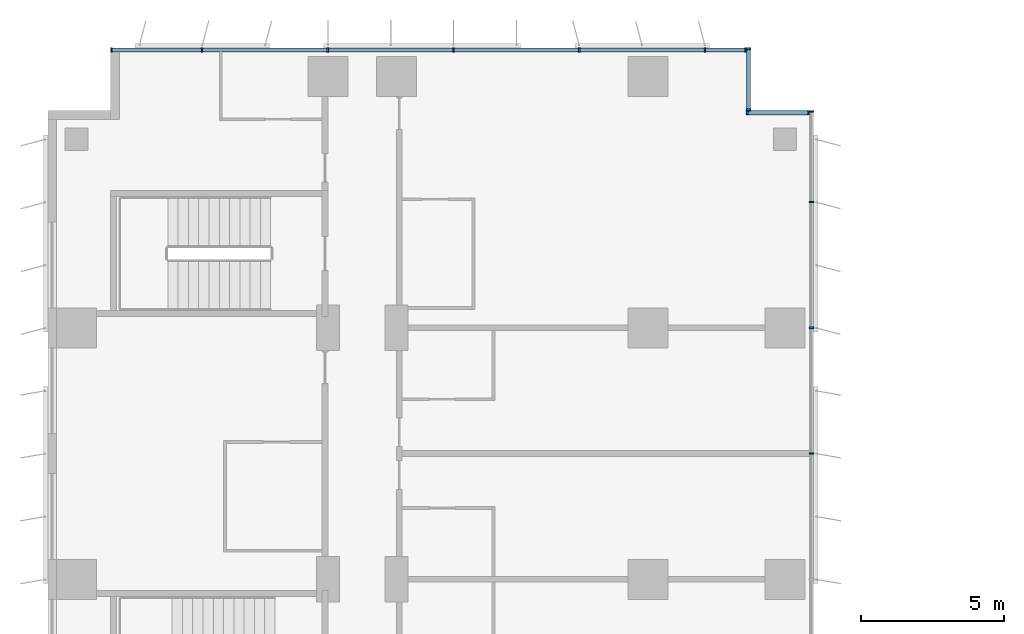
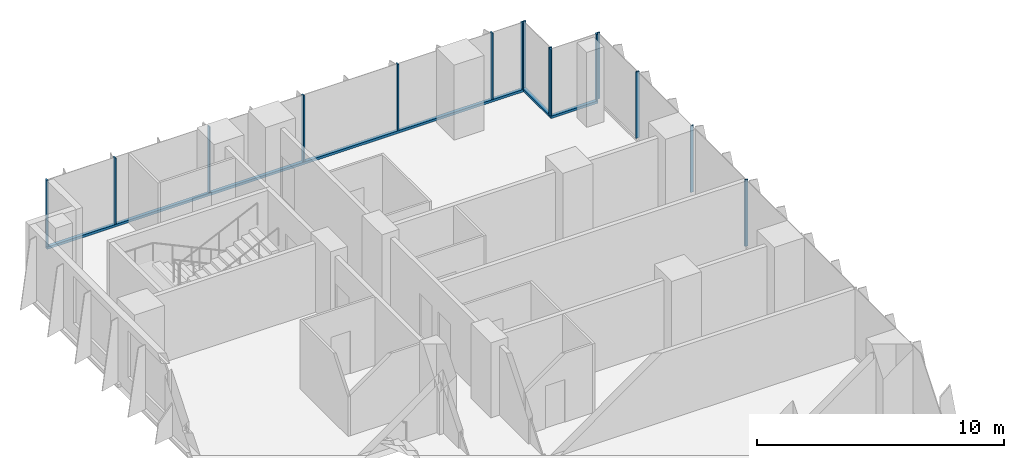
# One storey, part 9 of 24: 18 members, 4 elements without a shape of their own.
"""IFC4 building model written with IfcOpenShell, lengths in metres."""

from ifc_helpers import new_model, si_unit, direction, frame, origin, origin_2d, place, context, subcontext, project, spatial, rectangle, extrude, source, transform, mapped, material, material_profile, profile_set, type_object, element, aggregate, save


model = new_model("IFC4")

# Units and contexts
model_context = context("Model", 3, precision=1e-05, world=origin(), true_north=direction((0.0, 1.0)))
body_context = subcontext(model_context, "Body", "Model", "MODEL_VIEW")
ifc_project = project(units=[si_unit("LENGTHUNIT", "METRE"), si_unit("AREAUNIT", "SQUARE_METRE"), si_unit("VOLUMEUNIT", "CUBIC_METRE"), si_unit("PLANEANGLEUNIT", "RADIAN"), si_unit("MASSUNIT", "GRAM", prefix="KILO")], contexts=[model_context])

# Site, building, storey
site_placement = place(None, origin())
site = spatial("IfcSite", under=ifc_project, at=site_placement, CompositionType="ELEMENT")
building_placement = place(site_placement, origin())
building = spatial("IfcBuilding", under=site, at=building_placement, Name="Kemantara Hotel Tower", CompositionType="ELEMENT")
storey_placement = place(building_placement, frame((0.0, 0.0, 56.199951171875)))
storey = spatial("IfcBuildingStorey", under=building, at=storey_placement, Name="L12", CompositionType="ELEMENT", Elevation=56.199951171875)

# Curtain wall, member
ifc_material_1 = material(Name="Low-E tinted double insulated glass 36 mm", Category="glass")
curtain_wall_type = type_object("IfcCurtainWallType", Name="TOWER CURTAIN WALL, FRONT FACES", PredefinedType="USERDEFINED", material=ifc_material_1)
curtain_wall_1_placement = place(storey_placement, origin())
curtain_wall_1 = element("IfcCurtainWall", 1, at=curtain_wall_1_placement, inside=storey, type_object=curtain_wall_type, Name="CW4 L12 T1-R11-1", ObjectType="TOWER CURTAIN WALL, FRONT FACES", PredefinedType="USERDEFINED")
ifc_material_2 = material(Name="Aluminium 6063-T6 bronze anodised", Category="aluminium")
ifc_material_profile_1 = material_profile(ifc_material_2, rectangle(XDim=0.14990234375, YDim=0.1201171875, at=origin_2d()), Name="TOWER CURTAIN WALL, FRONT FACES TRANSOM")
ifc_profile_set_1 = profile_set([ifc_material_profile_1], Name="Aluminium 6063-T6 bronze anodised")
member_type_1 = type_object("IfcMemberType", Name="TOWER CURTAIN WALL, FRONT FACES TRANSOM", PredefinedType="USERDEFINED", material=ifc_profile_set_1)
member_1_placement = place(storey_placement, frame((24.449951171875, 81.125, 0.06005859375), z_axis=(-1.0, 0.0, 0.0), x_axis=(0.0, -1.0, 0.0)))
member_1 = element("IfcMember", 2, at=member_1_placement, type_object=member_type_1, Name="CW4 sill transom T1-R11-1", ObjectType="TRANSOM", PredefinedType="USERDEFINED", context=body_context, shape_type="SweptSolid", body=[
    extrude(rectangle(XDim=0.14990234375, YDim=0.1201171875, at=origin_2d()), origin(), (0.0, 0.0, 1.0), 22.25),
])

curtain_wall_2_placement = place(storey_placement, origin())
curtain_wall_2 = element("IfcCurtainWall", 3, at=curtain_wall_2_placement, inside=storey, type_object=curtain_wall_type, Name="CW4 L12 T1-R09-1", ObjectType="TOWER CURTAIN WALL, FRONT FACES", PredefinedType="USERDEFINED")
member_2_placement = place(storey_placement, frame((26.64990234375, 78.925048828125, 0.06005859375), z_axis=(-1.0, 0.0, 0.0), x_axis=(0.0, -1.0, 0.0)))
member_2 = element("IfcMember", 4, at=member_2_placement, type_object=member_type_1, Name="CW4 sill transom T1-R09-1", ObjectType="TRANSOM", PredefinedType="USERDEFINED", context=body_context, shape_type="SweptSolid", body=[
    extrude(rectangle(XDim=0.14990234375, YDim=0.1201171875, at=origin_2d()), origin(), (0.0, 0.0, 1.0), 2.199951171875),
])

curtain_wall_3_placement = place(storey_placement, origin())
curtain_wall_3 = element("IfcCurtainWall", 5, at=curtain_wall_3_placement, inside=storey, type_object=curtain_wall_type, Name="CW4 L12 T1-R10-1", ObjectType="TOWER CURTAIN WALL, FRONT FACES", PredefinedType="USERDEFINED")
member_3_placement = place(storey_placement, frame((24.52490234375, 79.0, 0.06005859375), z_axis=(0.0, 1.0, 0.0), x_axis=(-1.0, 0.0, 0.0)))
member_3 = element("IfcMember", 6, at=member_3_placement, type_object=member_type_1, Name="CW4 sill transom T1-R10-1", ObjectType="TRANSOM", PredefinedType="USERDEFINED", context=body_context, shape_type="SweptSolid", body=[
    extrude(rectangle(XDim=0.14990234375, YDim=0.1201171875, at=origin_2d()), origin(), (0.0, 0.0, 1.0), 2.199951171875),
])

# Curtain wall, members
curtain_wall_4_placement = place(storey_placement, origin())
curtain_wall_4 = element("IfcCurtainWall", 7, at=curtain_wall_4_placement, inside=storey, type_object=curtain_wall_type, Name="CW4 L12 T1-R08-1", ObjectType="TOWER CURTAIN WALL, FRONT FACES", PredefinedType="USERDEFINED")
ifc_material_profile_2 = material_profile(ifc_material_2, rectangle(XDim=0.14990234375, YDim=0.06005859375, at=origin_2d()), Name="TOWER CURTAIN WALL, FRONT FACES MULLION")
ifc_profile_set_2 = profile_set([ifc_material_profile_2], Name="Aluminium 6063-T6 bronze anodised")
member_type_2 = type_object("IfcMemberType", Name="TOWER CURTAIN WALL, FRONT FACES MULLION", PredefinedType="MULLION", material=ifc_profile_set_2)
shared_shape = source(origin(), body_context, "Body", "SweptSolid", [
    extrude(rectangle(XDim=0.14990234375, YDim=0.06005859375, at=origin_2d()), origin(), (0.0, 0.0, 1.0), 3.280029296875),
])
member_4_placement = place(storey_placement, frame((26.72509765625, 67.0, 0.1201171875), z_axis=(0.0, 0.0, 1.0), x_axis=(-1.0, 0.0, 0.0)))
member_4 = element("IfcMember", 8, at=member_4_placement, type_object=member_type_2, Name="CW4 mullion T1-R08-1.11", PredefinedType="MULLION", context=body_context, shape_type="MappedRepresentation", body=[
    mapped(shared_shape, transform((0.0, 0.0, 0.0))),
])
member_5_placement = place(storey_placement, frame((26.72509765625, 71.39990234375, 0.1201171875), z_axis=(0.0, 0.0, 1.0), x_axis=(-1.0, 0.0, 0.0)))
member_5 = element("IfcMember", 9, at=member_5_placement, type_object=member_type_2, Name="CW4 mullion T1-R08-1.12", PredefinedType="MULLION", context=body_context, shape_type="MappedRepresentation", body=[
    mapped(shared_shape, transform((0.0, 0.0, 0.0))),
])
member_6_placement = place(storey_placement, frame((26.72509765625, 75.800048828125, 0.1201171875), z_axis=(0.0, 0.0, 1.0), x_axis=(-1.0, 0.0, 0.0)))
member_6 = element("IfcMember", 10, at=member_6_placement, type_object=member_type_2, Name="CW4 mullion T1-R08-1.13", PredefinedType="MULLION", context=body_context, shape_type="MappedRepresentation", body=[
    mapped(shared_shape, transform((0.0, 0.0, 0.0))),
])
member_7_placement = place(storey_placement, frame((26.72509765625, 78.969970703125, 0.1201171875), z_axis=(0.0, 0.0, 1.0), x_axis=(-1.0, 0.0, 0.0)))
member_7 = element("IfcMember", 11, at=member_7_placement, type_object=member_type_2, Name="CW4 mullion T1-R08-1.14", PredefinedType="MULLION", context=body_context, shape_type="MappedRepresentation", body=[
    mapped(shared_shape, transform((0.0, 0.0, 0.0))),
])
aggregate(curtain_wall_4, [member_4, member_5, member_6, member_7])

# Member
member_8_placement = place(storey_placement, frame((24.419921875, 81.125, 0.1201171875), z_axis=(0.0, 0.0, 1.0), x_axis=(0.0, -1.0, 0.0)))
member_8 = element("IfcMember", 12, at=member_8_placement, type_object=member_type_2, Name="CW4 mullion T1-R11-1.1", PredefinedType="MULLION", context=body_context, shape_type="MappedRepresentation", body=[
    mapped(shared_shape, transform((0.0, 0.0, 0.0))),
])

member_9_placement = place(storey_placement, frame((23.0, 81.125, 0.1201171875), z_axis=(0.0, 0.0, 1.0), x_axis=(0.0, -1.0, 0.0)))
member_9 = element("IfcMember", 13, at=member_9_placement, type_object=member_type_2, Name="CW4 mullion T1-R11-1.2", PredefinedType="MULLION", context=body_context, shape_type="MappedRepresentation", body=[
    mapped(shared_shape, transform((0.0, 0.0, 0.0))),
])

member_10_placement = place(storey_placement, frame((18.60009765625, 81.125, 0.1201171875), z_axis=(0.0, 0.0, 1.0), x_axis=(0.0, -1.0, 0.0)))
member_10 = element("IfcMember", 14, at=member_10_placement, type_object=member_type_2, Name="CW4 mullion T1-R11-1.3", PredefinedType="MULLION", context=body_context, shape_type="MappedRepresentation", body=[
    mapped(shared_shape, transform((0.0, 0.0, 0.0))),
])

member_11_placement = place(storey_placement, frame((14.199951171875, 81.125, 0.1201171875), z_axis=(0.0, 0.0, 1.0), x_axis=(0.0, -1.0, 0.0)))
member_11 = element("IfcMember", 15, at=member_11_placement, type_object=member_type_2, Name="CW4 mullion T1-R11-1.4", PredefinedType="MULLION", context=body_context, shape_type="MappedRepresentation", body=[
    mapped(shared_shape, transform((0.0, 0.0, 0.0))),
])

member_12_placement = place(storey_placement, frame((9.800048828125, 81.125, 0.1201171875), z_axis=(0.0, 0.0, 1.0), x_axis=(0.0, -1.0, 0.0)))
member_12 = element("IfcMember", 16, at=member_12_placement, type_object=member_type_2, Name="CW4 mullion T1-R11-1.5", PredefinedType="MULLION", context=body_context, shape_type="MappedRepresentation", body=[
    mapped(shared_shape, transform((0.0, 0.0, 0.0))),
])

member_13_placement = place(storey_placement, frame((5.39990234375, 81.125, 0.1201171875), z_axis=(0.0, 0.0, 1.0), x_axis=(0.0, -1.0, 0.0)))
member_13 = element("IfcMember", 17, at=member_13_placement, type_object=member_type_2, Name="CW4 mullion T1-R11-1.6", PredefinedType="MULLION", context=body_context, shape_type="MappedRepresentation", body=[
    mapped(shared_shape, transform((0.0, 0.0, 0.0))),
])

member_14_placement = place(storey_placement, frame((2.22998046875, 81.125, 0.1201171875), z_axis=(0.0, 0.0, 1.0), x_axis=(0.0, -1.0, 0.0)))
member_14 = element("IfcMember", 18, at=member_14_placement, type_object=member_type_2, Name="CW4 mullion T1-R11-1.7", PredefinedType="MULLION", context=body_context, shape_type="MappedRepresentation", body=[
    mapped(shared_shape, transform((0.0, 0.0, 0.0))),
])

aggregate(curtain_wall_1, [member_1, member_8, member_9, member_10, member_11, member_12, member_13, member_14])

member_15_placement = place(storey_placement, frame((26.6201171875, 78.925048828125, 0.1201171875), z_axis=(0.0, 0.0, 1.0), x_axis=(0.0, -1.0, 0.0)))
member_15 = element("IfcMember", 19, at=member_15_placement, type_object=member_type_2, Name="CW4 mullion T1-R09-1.1", PredefinedType="MULLION", context=body_context, shape_type="MappedRepresentation", body=[
    mapped(shared_shape, transform((0.0, 0.0, 0.0))),
])

member_16_placement = place(storey_placement, frame((24.47998046875, 78.925048828125, 0.1201171875), z_axis=(0.0, 0.0, 1.0), x_axis=(0.0, -1.0, 0.0)))
member_16 = element("IfcMember", 20, at=member_16_placement, type_object=member_type_2, Name="CW4 mullion T1-R09-1.2", PredefinedType="MULLION", context=body_context, shape_type="MappedRepresentation", body=[
    mapped(shared_shape, transform((0.0, 0.0, 0.0))),
])

aggregate(curtain_wall_2, [member_2, member_15, member_16])

member_17_placement = place(storey_placement, frame((24.52490234375, 79.030029296875, 0.1201171875), z_axis=(0.0, 0.0, 1.0), x_axis=(-1.0, 0.0, 0.0)))
member_17 = element("IfcMember", 21, at=member_17_placement, type_object=member_type_2, Name="CW4 mullion T1-R10-1.1", PredefinedType="MULLION", context=body_context, shape_type="MappedRepresentation", body=[
    mapped(shared_shape, transform((0.0, 0.0, 0.0))),
])

member_18_placement = place(storey_placement, frame((24.52490234375, 81.169921875, 0.1201171875), z_axis=(0.0, 0.0, 1.0), x_axis=(-1.0, 0.0, 0.0)))
member_18 = element("IfcMember", 22, at=member_18_placement, type_object=member_type_2, Name="CW4 mullion T1-R10-1.2", PredefinedType="MULLION", context=body_context, shape_type="MappedRepresentation", body=[
    mapped(shared_shape, transform((0.0, 0.0, 0.0))),
])

aggregate(curtain_wall_3, [member_3, member_17, member_18])

save(model, "model.ifc")
